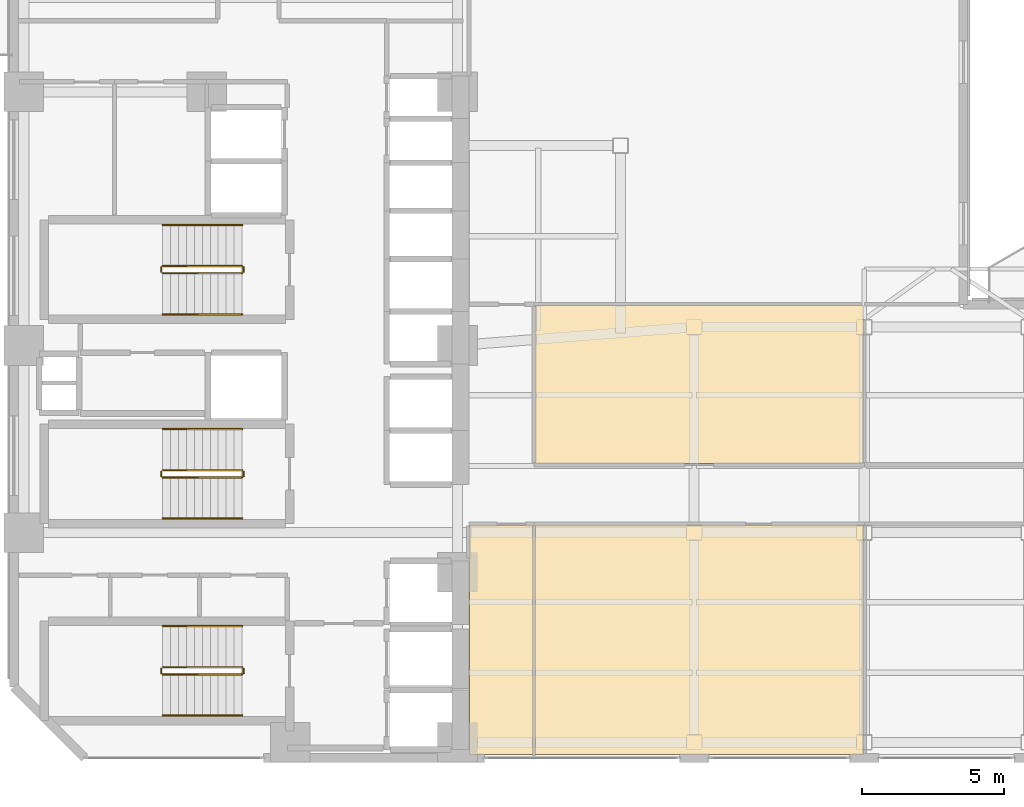
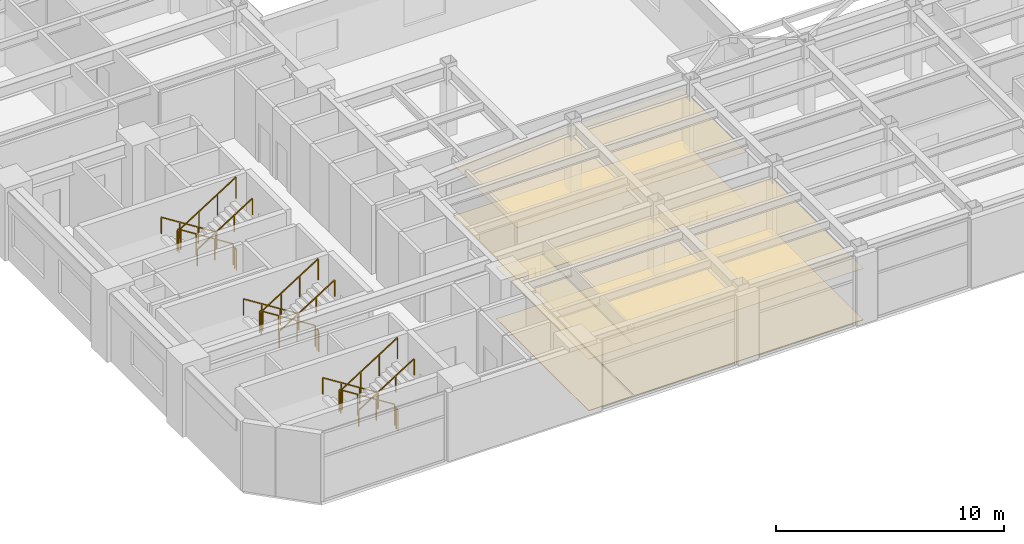
# One storey, part 14 of 16: 18 railings, 6 coverings.
"""IFC4 building model written with IfcOpenShell, lengths in metres."""

import ifcopenshell
import ifcopenshell.guid

model = None  # the IFC model being written
_history = None  # IfcOwnerHistory: only IFC2X3 demands one
_inside = {}  # id of a spatial element -> (the spatial element, [elements in it])
_under = {}  # id of a project, library or spatial element -> (it, [spatial elements below it])
_declared = {}  # id of a project -> (the project, [libraries it declares])
_typed = {}  # id of a type object -> (the type object, [elements of that type])
_made_of = {}  # id of a material, layer set ... -> (it, [elements and type objects made of it])


def new_model(schema):
    """Start an empty IFC model of exactly this schema.

    Asked for "IFC4X3", IfcOpenShell would pick the latest addendum, in which some entities
    have other attributes; the version numbers below select the first issue.
    IFC2X3 requires an IfcOwnerHistory on every rooted entity: one is made here for all.
    """
    global model, _history
    if schema == "IFC4X3":
        model = ifcopenshell.file(schema_version=(4, 3, 0, 0))
    else:
        model = ifcopenshell.file(schema=schema)
    _inside.clear()
    _under.clear()
    _declared.clear()
    _typed.clear()
    _made_of.clear()
    _history = None
    if model.schema == "IFC2X3":
        org = make("IfcOrganization", Name="unknown")
        user = make(
            "IfcPersonAndOrganization",
            ThePerson=make("IfcPerson", FamilyName="unknown"),
            TheOrganization=org,
        )
        app = make(
            "IfcApplication",
            ApplicationDeveloper=org,
            Version="unknown",
            ApplicationFullName="unknown",
            ApplicationIdentifier="unknown",
        )
        _history = make(
            "IfcOwnerHistory",
            OwningUser=user,
            OwningApplication=app,
            ChangeAction="ADDED",
            CreationDate=0,
        )
    return model


def make(cls, **values):
    """One entity of the class cls with the attributes given. An attribute that is None is left unset."""
    return model.create_entity(
        cls, **{name: value for name, value in values.items() if value is not None}
    )


def rooted(cls, **values):
    """An entity with a GlobalId (a new one), such as an element, a storey or a relation."""
    return make(cls, GlobalId=ifcopenshell.guid.new(), OwnerHistory=_history, **values)


def si_unit(unit_type, name, prefix=None):
    """IfcSIUnit, for example si_unit("LENGTHUNIT", "METRE", prefix="MILLI")."""
    return make("IfcSIUnit", UnitType=unit_type, Prefix=prefix, Name=name)


def assignment(units):
    """IfcUnitAssignment: the units of a project."""
    return None if units is None else make("IfcUnitAssignment", Units=units)


def point(xyz):
    """IfcCartesianPoint."""
    return None if xyz is None else make("IfcCartesianPoint", Coordinates=xyz)


def direction(xyz):
    """IfcDirection."""
    return None if xyz is None else make("IfcDirection", DirectionRatios=xyz)


def frame(location, z_axis=None, x_axis=None):
    """IfcAxis2Placement3D, a coordinate frame: its origin and axes. An axis left out is left unset."""
    return make(
        "IfcAxis2Placement3D",
        Location=point(location),
        Axis=direction(z_axis),
        RefDirection=direction(x_axis),
    )


def frame_2d(location, x_axis=None):
    """IfcAxis2Placement2D, a coordinate frame in the plane: its origin and x axis."""
    return make(
        "IfcAxis2Placement2D", Location=point(location), RefDirection=direction(x_axis)
    )


def origin():
    """The frame at (0, 0, 0) with its axes left unset."""
    return frame((0.0, 0.0, 0.0))


def origin_2d():
    """The frame at (0, 0) in the plane with its x axis left unset."""
    return frame_2d((0.0, 0.0))


def place(relative_to, where):
    """IfcLocalPlacement: puts the frame where relative to a parent placement (None: the world)."""
    return make(
        "IfcLocalPlacement", PlacementRelTo=relative_to, RelativePlacement=where
    )


def context(
    kind, dimensions, precision=None, world=None, true_north=None, identifier=None
):
    """IfcGeometricRepresentationContext, for example the 3D "Model" context."""
    return make(
        "IfcGeometricRepresentationContext",
        ContextIdentifier=identifier,
        ContextType=kind,
        CoordinateSpaceDimension=dimensions,
        Precision=precision,
        WorldCoordinateSystem=world,
        TrueNorth=true_north,
    )


def subcontext(parent, identifier, kind, view, scale=None):
    """IfcGeometricRepresentationSubContext, for example "Body" below "Model"."""
    return make(
        "IfcGeometricRepresentationSubContext",
        ContextIdentifier=identifier,
        ContextType=kind,
        ParentContext=parent,
        TargetScale=scale,
        TargetView=view,
    )


def project(units=None, contexts=None):
    """IfcProject with its units and contexts."""
    return rooted(
        "IfcProject",
        Name="project",
        RepresentationContexts=contexts,
        UnitsInContext=assignment(units),
    )


def spatial(cls, under=None, at=None, **own):
    """A site, building, storey or space (cls), placed at a placement, below another one or the project."""
    s = rooted(cls, ObjectPlacement=at, **own)
    if under is not None:
        _under.setdefault(under.id(), (under, []))[1].append(s)
    return s


def polyline(points):
    """IfcPolyline through the points."""
    return make("IfcPolyline", Points=[point(p) for p in points])


def profile(cls, at=None, kind="AREA", **sizes):
    """A parametric profile (cls). Its sizes go by their IFC names, for example OverallWidth=200.0."""
    return make(cls, ProfileType=kind, Position=at, **sizes)


def rectangle(**sizes):
    """IfcRectangleProfileDef."""
    return profile("IfcRectangleProfileDef", **sizes)


def outline(outer, holes=None, kind="AREA"):
    """IfcArbitraryClosedProfileDef: a profile drawn as a closed curve; with holes, ...WithVoids."""
    if holes is None:
        return make("IfcArbitraryClosedProfileDef", ProfileType=kind, OuterCurve=outer)
    return make(
        "IfcArbitraryProfileDefWithVoids",
        ProfileType=kind,
        OuterCurve=outer,
        InnerCurves=holes,
    )


def extrude(swept, where, along, depth):
    """IfcExtrudedAreaSolid: the profile swept, set in the frame where, extruded along a direction by depth."""
    return make(
        "IfcExtrudedAreaSolid",
        SweptArea=swept,
        Position=where,
        ExtrudedDirection=direction(along),
        Depth=depth,
    )


def shape(context_of_items, identifier, shape_type, items):
    """IfcShapeRepresentation: the items that make up one representation, for example the "Body"."""
    return make(
        "IfcShapeRepresentation",
        ContextOfItems=context_of_items,
        RepresentationIdentifier=identifier,
        RepresentationType=shape_type,
        Items=items,
    )


def material(Name=None, Category=None):
    """IfcMaterial."""
    return make("IfcMaterial", Name=Name, Category=Category)


def layer(
    of_material, thickness, ventilated=None, Name=None, Category=None, Priority=None
):
    """IfcMaterialLayer: one layer of a wall or slab, of a material (None: an air gap)."""
    return make(
        "IfcMaterialLayer",
        Material=of_material,
        LayerThickness=thickness,
        IsVentilated=ventilated,
        Name=Name,
        Category=Category,
        Priority=Priority,
    )


def layer_set(layers, Name=None):
    """IfcMaterialLayerSet."""
    return make("IfcMaterialLayerSet", MaterialLayers=layers, LayerSetName=Name)


def made_of(thing, what):
    """Note that an element or type object is made of a material, layer set ...; save() writes the relation."""
    if what is not None:
        _made_of.setdefault(what.id(), (what, []))[1].append(thing)
    return thing


def type_object(cls, material=None, **own):
    """A type object (cls), such as IfcWallType, which elements share."""
    return made_of(rooted(cls, **own), material)


def element(
    cls,
    number,
    at=None,
    inside=None,
    cuts=None,
    type_object=None,
    material=None,
    context=None,
    identifier="Body",
    shape_type=None,
    held_by="IfcProductDefinitionShape",
    body=None,
    shapes=None,
    **own,
):
    """One element of the class cls, such as IfcWall. Its Tag is "e" and its number.

    at: its placement. inside: the storey or other place that contains it. cuts: it is an
    opening in that element (IfcRelVoidsElement). A single representation is given by context,
    identifier, shape_type and body (its items); several are given by shapes. held_by: the class
    of the entity that holds the representations. save() writes the other relations.
    """
    e = rooted(cls, Tag="e%d" % number, ObjectPlacement=at, **own)
    if body is not None:
        shapes = [shape(context, identifier, shape_type, body)]
    if shapes is not None:
        e.Representation = make(held_by, Representations=shapes)
    if inside is not None:
        _inside.setdefault(inside.id(), (inside, []))[1].append(e)
    if cuts is not None:
        rooted(
            "IfcRelVoidsElement", RelatingBuildingElement=cuts, RelatedOpeningElement=e
        )
    if type_object is not None:
        _typed.setdefault(type_object.id(), (type_object, []))[1].append(e)
    return made_of(e, material)


def aggregate(whole, parts):
    """IfcRelAggregates: a whole, such as a stair, and the parts it consists of."""
    return rooted("IfcRelAggregates", RelatingObject=whole, RelatedObjects=parts)


def save(model, path):
    """Write the relations noted so far, then the file.

    IfcRelAggregates (storeys below a building ...), IfcRelContainedInSpatialStructure (elements
    in a storey), IfcRelDefinesByType, IfcRelAssociatesMaterial and IfcRelDeclares: one each for
    every whole, place, type object, material and project.
    """
    for whole, parts in _under.values():
        aggregate(whole, parts)
    for where, things in _inside.values():
        rooted(
            "IfcRelContainedInSpatialStructure",
            RelatedElements=things,
            RelatingStructure=where,
        )
    for kind, things in _typed.values():
        rooted("IfcRelDefinesByType", RelatedObjects=things, RelatingType=kind)
    for what, things in _made_of.values():
        rooted("IfcRelAssociatesMaterial", RelatedObjects=things, RelatingMaterial=what)
    for by, libraries in _declared.values():
        rooted("IfcRelDeclares", RelatingContext=by, RelatedDefinitions=libraries)
    model.write(path)


model = new_model("IFC4")

# Units and contexts
model_context = context("Model", 3, precision=1e-05, world=origin(), true_north=direction((0.0, 1.0)))
body_context = subcontext(model_context, "Body", "Model", "MODEL_VIEW")
ifc_project = project(units=[si_unit("LENGTHUNIT", "METRE"), si_unit("AREAUNIT", "SQUARE_METRE"), si_unit("VOLUMEUNIT", "CUBIC_METRE"), si_unit("PLANEANGLEUNIT", "RADIAN"), si_unit("MASSUNIT", "GRAM", prefix="KILO")], contexts=[model_context])

# Site, building, storey
site_placement = place(None, origin())
site = spatial("IfcSite", under=ifc_project, at=site_placement, CompositionType="ELEMENT")
building_placement = place(site_placement, origin())
building = spatial("IfcBuilding", under=site, at=building_placement, Name="Mawjaban Terraces University", CompositionType="ELEMENT")
storey_placement = place(building_placement, frame((0.0, 0.0, 38.800048828125)))
storey = spatial("IfcBuildingStorey", under=building, at=storey_placement, Name="L08", CompositionType="ELEMENT", Elevation=38.800048828125)

# Coverings
ifc_material_1 = material(Name="Acoustic mineral fibre ceiling tile", Category="masonry")
ifc_layer_1 = layer(ifc_material_1, 0.02001953125)
ifc_layer_set_1 = layer_set([ifc_layer_1], Name="Acoustic mineral fibre ceiling tile")
covering_type_1 = type_object("IfcCoveringType", Name="AcousticMineralCeiling_20", PredefinedType="CEILING", material=ifc_layer_set_1)
covering_1_placement = place(storey_placement, frame((0.0, 0.0, 2.75)))
element("IfcCovering", 1, at=covering_1_placement, inside=storey, type_object=covering_type_1, Name="L08 Classroom 1 Acoustic Ceiling", PredefinedType="CEILING", context=body_context, shape_type="SweptSolid", body=[
    extrude(outline(polyline([(38.080078125, 0.114990234375), (40.320068359375, 0.114990234375), (40.320068359375, 8.219970703125), (38.080078125, 8.219970703125), (38.080078125, 0.114990234375)])), origin(), (0.0, 0.0, 1.0), 0.02001953125),
])
covering_2_placement = place(storey_placement, frame((0.0, 0.0, 2.75)))
element("IfcCovering", 2, at=covering_2_placement, inside=storey, type_object=covering_type_1, Name="L08 Seminar Room 2 Acoustic Ceiling", PredefinedType="CEILING", context=body_context, shape_type="SweptSolid", body=[
    extrude(outline(polyline([(40.3798828125, 0.114990234375), (51.969970703125, 0.114990234375), (51.969970703125, 8.219970703125), (40.3798828125, 8.219970703125), (40.3798828125, 0.114990234375)])), origin(), (0.0, 0.0, 1.0), 0.02001953125),
])
covering_3_placement = place(storey_placement, frame((0.0, 0.0, 2.75)))
element("IfcCovering", 3, at=covering_3_placement, inside=storey, type_object=covering_type_1, Name="L08 Classroom 3 Acoustic Ceiling", PredefinedType="CEILING", context=body_context, shape_type="SweptSolid", body=[
    extrude(outline(polyline([(51.969970703125, 10.3798828125), (51.969970703125, 15.969970703125), (40.3798828125, 15.969970703125), (40.3798828125, 10.3798828125), (51.969970703125, 10.3798828125)])), origin(), (0.0, 0.0, 1.0), 0.02001953125),
])

# Railings
ifc_material_2 = material(Name="Brushed stainless steel 316", Category="steel")
railing_type_1 = type_object("IfcRailingType", Name="StairWallHandrail_900", PredefinedType="HANDRAIL", material=ifc_material_2)
railing_1_placement = place(storey_placement, frame((30.050048828125, 4.64990234375, 0.17724609375)))
element("IfcRailing", 4, at=railing_1_placement, inside=storey, type_object=railing_type_1, Name="L08 ST-1 stair handrail 1", PredefinedType="HANDRAIL", context=body_context, shape_type="SweptSolid", body=[
    extrude(rectangle(XDim=0.048095703125, YDim=0.048095703125, at=origin_2d()), frame((0.0, 0.0, 0.8759765625), z_axis=(-0.844908973607, 0.0, 0.534910110503), x_axis=(0.0, -1.0, 0.0)), (0.0, 0.0, 1.0), 3.31396484375),
    extrude(rectangle(XDim=0.0419921875, YDim=0.0419921875, at=origin_2d()), origin(), (0.0, 0.0, 1.0), 0.851806640625),
    extrude(rectangle(XDim=0.0419921875, YDim=0.0419921875, at=origin_2d()), frame((-0.933349609375, 0.0, 0.5908203125)), (0.0, 0.0, 1.0), 0.851806640625),
    extrude(rectangle(XDim=0.0419921875, YDim=0.0419921875, at=origin_2d()), frame((-1.86669921875, 0.0, 1.181884765625)), (0.0, 0.0, 1.0), 0.851806640625),
    extrude(rectangle(XDim=0.0419921875, YDim=0.0419921875, at=origin_2d()), frame((-2.800048828125, 0.0, 1.772705078125)), (0.0, 0.0, 1.0), 0.851806640625),
])
railing_2_placement = place(storey_placement, frame((27.25, 1.5, 2.127197265625)))
element("IfcRailing", 5, at=railing_2_placement, inside=storey, type_object=railing_type_1, Name="L08 ST-1 stair handrail 2", PredefinedType="HANDRAIL", context=body_context, shape_type="SweptSolid", body=[
    extrude(rectangle(XDim=0.048095703125, YDim=0.048095703125, at=origin_2d()), frame((0.0, 0.0, 0.8759765625), z_axis=(0.844908973607, 0.0, 0.534910110503), x_axis=(0.0, 1.0, 0.0)), (0.0, 0.0, 1.0), 3.31396484375),
    extrude(rectangle(XDim=0.0419921875, YDim=0.0419921875, at=origin_2d()), origin(), (0.0, 0.0, 1.0), 0.851806640625),
    extrude(rectangle(XDim=0.0419921875, YDim=0.0419921875, at=origin_2d()), frame((0.933349609375, 0.0, 0.5908203125)), (0.0, 0.0, 1.0), 0.851806640625),
    extrude(rectangle(XDim=0.0419921875, YDim=0.0419921875, at=origin_2d()), frame((1.86669921875, 0.0, 1.181884765625)), (0.0, 0.0, 1.0), 0.851806640625),
    extrude(rectangle(XDim=0.0419921875, YDim=0.0419921875, at=origin_2d()), frame((2.800048828125, 0.0, 1.772705078125)), (0.0, 0.0, 1.0), 0.851806640625),
])
railing_3_placement = place(storey_placement, frame((30.050048828125, 18.800048828125, 0.17724609375)))
element("IfcRailing", 6, at=railing_3_placement, inside=storey, type_object=railing_type_1, Name="L08 ST-2 stair handrail 1", PredefinedType="HANDRAIL", context=body_context, shape_type="SweptSolid", body=[
    extrude(rectangle(XDim=0.048095703125, YDim=0.048095703125, at=origin_2d()), frame((0.0, 0.0, 0.8759765625), z_axis=(-0.844908973607, 0.0, 0.534910110503), x_axis=(0.0, -1.0, 0.0)), (0.0, 0.0, 1.0), 3.31396484375),
    extrude(rectangle(XDim=0.0419921875, YDim=0.0419921875, at=origin_2d()), origin(), (0.0, 0.0, 1.0), 0.851806640625),
    extrude(rectangle(XDim=0.0419921875, YDim=0.0419921875, at=origin_2d()), frame((-0.933349609375, 0.0, 0.5908203125)), (0.0, 0.0, 1.0), 0.851806640625),
    extrude(rectangle(XDim=0.0419921875, YDim=0.0419921875, at=origin_2d()), frame((-1.86669921875, 0.0, 1.181884765625)), (0.0, 0.0, 1.0), 0.851806640625),
    extrude(rectangle(XDim=0.0419921875, YDim=0.0419921875, at=origin_2d()), frame((-2.800048828125, 0.0, 1.772705078125)), (0.0, 0.0, 1.0), 0.851806640625),
])
railing_4_placement = place(storey_placement, frame((27.25, 15.64990234375, 2.127197265625)))
element("IfcRailing", 7, at=railing_4_placement, inside=storey, type_object=railing_type_1, Name="L08 ST-2 stair handrail 2", PredefinedType="HANDRAIL", context=body_context, shape_type="SweptSolid", body=[
    extrude(rectangle(XDim=0.048095703125, YDim=0.048095703125, at=origin_2d()), frame((0.0, 0.0, 0.8759765625), z_axis=(0.844908973607, 0.0, 0.534910110503), x_axis=(0.0, 1.0, 0.0)), (0.0, 0.0, 1.0), 3.31396484375),
    extrude(rectangle(XDim=0.0419921875, YDim=0.0419921875, at=origin_2d()), origin(), (0.0, 0.0, 1.0), 0.851806640625),
    extrude(rectangle(XDim=0.0419921875, YDim=0.0419921875, at=origin_2d()), frame((0.933349609375, 0.0, 0.5908203125)), (0.0, 0.0, 1.0), 0.851806640625),
    extrude(rectangle(XDim=0.0419921875, YDim=0.0419921875, at=origin_2d()), frame((1.86669921875, 0.0, 1.181884765625)), (0.0, 0.0, 1.0), 0.851806640625),
    extrude(rectangle(XDim=0.0419921875, YDim=0.0419921875, at=origin_2d()), frame((2.800048828125, 0.0, 1.772705078125)), (0.0, 0.0, 1.0), 0.851806640625),
])
railing_5_placement = place(storey_placement, frame((30.050048828125, 11.60009765625, 0.17724609375)))
element("IfcRailing", 8, at=railing_5_placement, inside=storey, type_object=railing_type_1, Name="L08 ST-3 stair handrail 1", PredefinedType="HANDRAIL", context=body_context, shape_type="SweptSolid", body=[
    extrude(rectangle(XDim=0.048095703125, YDim=0.048095703125, at=origin_2d()), frame((0.0, 0.0, 0.8759765625), z_axis=(-0.844908973607, 0.0, 0.534910110503), x_axis=(0.0, -1.0, 0.0)), (0.0, 0.0, 1.0), 3.31396484375),
    extrude(rectangle(XDim=0.0419921875, YDim=0.0419921875, at=origin_2d()), origin(), (0.0, 0.0, 1.0), 0.851806640625),
    extrude(rectangle(XDim=0.0419921875, YDim=0.0419921875, at=origin_2d()), frame((-0.933349609375, 0.0, 0.5908203125)), (0.0, 0.0, 1.0), 0.851806640625),
    extrude(rectangle(XDim=0.0419921875, YDim=0.0419921875, at=origin_2d()), frame((-1.86669921875, 0.0, 1.181884765625)), (0.0, 0.0, 1.0), 0.851806640625),
    extrude(rectangle(XDim=0.0419921875, YDim=0.0419921875, at=origin_2d()), frame((-2.800048828125, 0.0, 1.772705078125)), (0.0, 0.0, 1.0), 0.851806640625),
])
railing_6_placement = place(storey_placement, frame((27.25, 8.449951171875, 2.127197265625)))
element("IfcRailing", 9, at=railing_6_placement, inside=storey, type_object=railing_type_1, Name="L08 ST-3 stair handrail 2", PredefinedType="HANDRAIL", context=body_context, shape_type="SweptSolid", body=[
    extrude(rectangle(XDim=0.048095703125, YDim=0.048095703125, at=origin_2d()), frame((0.0, 0.0, 0.8759765625), z_axis=(0.844908973607, 0.0, 0.534910110503), x_axis=(0.0, 1.0, 0.0)), (0.0, 0.0, 1.0), 3.31396484375),
    extrude(rectangle(XDim=0.0419921875, YDim=0.0419921875, at=origin_2d()), origin(), (0.0, 0.0, 1.0), 0.851806640625),
    extrude(rectangle(XDim=0.0419921875, YDim=0.0419921875, at=origin_2d()), frame((0.933349609375, 0.0, 0.5908203125)), (0.0, 0.0, 1.0), 0.851806640625),
    extrude(rectangle(XDim=0.0419921875, YDim=0.0419921875, at=origin_2d()), frame((1.86669921875, 0.0, 1.181884765625)), (0.0, 0.0, 1.0), 0.851806640625),
    extrude(rectangle(XDim=0.0419921875, YDim=0.0419921875, at=origin_2d()), frame((2.800048828125, 0.0, 1.772705078125)), (0.0, 0.0, 1.0), 0.851806640625),
])
ifc_material_3 = material(Name="Galvanised painted steel S355", Category="steel")
railing_type_2 = type_object("IfcRailingType", Name="StairWellGuard_1150", PredefinedType="BALUSTRADE", material=ifc_material_3)
railing_7_placement = place(storey_placement, frame((30.050048828125, 3.199951171875, 0.17724609375)))
element("IfcRailing", 10, at=railing_7_placement, inside=storey, type_object=railing_type_2, Name="L08 ST-1 stair guard 1", PredefinedType="BALUSTRADE", context=body_context, shape_type="SweptSolid", body=[
    extrude(rectangle(XDim=0.048095703125, YDim=0.048095703125, at=origin_2d()), frame((0.0, 0.0, 1.1259765625), z_axis=(-0.844908973607, 0.0, 0.534910110503), x_axis=(0.0, -1.0, 0.0)), (0.0, 0.0, 1.0), 3.31396484375),
    extrude(rectangle(XDim=0.0419921875, YDim=0.0419921875, at=origin_2d()), origin(), (0.0, 0.0, 1.0), 1.101806640625),
    extrude(rectangle(XDim=0.0419921875, YDim=0.0419921875, at=origin_2d()), frame((-0.933349609375, 0.0, 0.5908203125)), (0.0, 0.0, 1.0), 1.101806640625),
    extrude(rectangle(XDim=0.0419921875, YDim=0.0419921875, at=origin_2d()), frame((-1.86669921875, 0.0, 1.181884765625)), (0.0, 0.0, 1.0), 1.101806640625),
    extrude(rectangle(XDim=0.0419921875, YDim=0.0419921875, at=origin_2d()), frame((-2.800048828125, 0.0, 1.772705078125)), (0.0, 0.0, 1.0), 1.101806640625),
])
railing_8_placement = place(storey_placement, frame((27.199951171875, 3.14990234375, 1.949951171875)))
element("IfcRailing", 11, at=railing_8_placement, inside=storey, type_object=railing_type_2, Name="L08 ST-1 stair guard 2", PredefinedType="BALUSTRADE", context=body_context, shape_type="SweptSolid", body=[
    extrude(rectangle(XDim=0.048095703125, YDim=0.048095703125, at=origin_2d()), frame((0.0, 0.0, 1.1259765625), z_axis=(0.0, -1.0, 0.0), x_axis=(1.0, 0.0, 0.0)), (0.0, 0.0, 1.0), 0.14990234375),
    extrude(rectangle(XDim=0.0419921875, YDim=0.0419921875, at=origin_2d()), origin(), (0.0, 0.0, 1.0), 1.101806640625),
    extrude(rectangle(XDim=0.0419921875, YDim=0.0419921875, at=origin_2d()), frame((0.0, -0.14990234375, 0.0)), (0.0, 0.0, 1.0), 1.101806640625),
])
railing_9_placement = place(storey_placement, frame((27.25, 2.949951171875, 2.127197265625)))
element("IfcRailing", 12, at=railing_9_placement, inside=storey, type_object=railing_type_2, Name="L08 ST-1 stair guard 3", PredefinedType="BALUSTRADE", context=body_context, shape_type="SweptSolid", body=[
    extrude(rectangle(XDim=0.048095703125, YDim=0.048095703125, at=origin_2d()), frame((0.0, 0.0, 1.1259765625), z_axis=(0.844908973607, 0.0, 0.534910110503), x_axis=(0.0, 1.0, 0.0)), (0.0, 0.0, 1.0), 3.31396484375),
    extrude(rectangle(XDim=0.0419921875, YDim=0.0419921875, at=origin_2d()), origin(), (0.0, 0.0, 1.0), 1.101806640625),
    extrude(rectangle(XDim=0.0419921875, YDim=0.0419921875, at=origin_2d()), frame((0.933349609375, 0.0, 0.5908203125)), (0.0, 0.0, 1.0), 1.101806640625),
    extrude(rectangle(XDim=0.0419921875, YDim=0.0419921875, at=origin_2d()), frame((1.86669921875, 0.0, 1.181884765625)), (0.0, 0.0, 1.0), 1.101806640625),
    extrude(rectangle(XDim=0.0419921875, YDim=0.0419921875, at=origin_2d()), frame((2.800048828125, 0.0, 1.772705078125)), (0.0, 0.0, 1.0), 1.101806640625),
])
railing_10_placement = place(storey_placement, frame((30.10009765625, 3.14990234375, 0.0)))
element("IfcRailing", 13, at=railing_10_placement, inside=storey, type_object=railing_type_2, Name="L08 ST-1 stair guard 4", PredefinedType="BALUSTRADE", context=body_context, shape_type="SweptSolid", body=[
    extrude(rectangle(XDim=0.048095703125, YDim=0.048095703125, at=origin_2d()), frame((0.0, 0.0, 1.1259765625), z_axis=(0.0, -1.0, 0.0), x_axis=(1.0, 0.0, 0.0)), (0.0, 0.0, 1.0), 0.14990234375),
    extrude(rectangle(XDim=0.0419921875, YDim=0.0419921875, at=origin_2d()), origin(), (0.0, 0.0, 1.0), 1.101806640625),
    extrude(rectangle(XDim=0.0419921875, YDim=0.0419921875, at=origin_2d()), frame((0.0, -0.14990234375, 0.0)), (0.0, 0.0, 1.0), 1.101806640625),
])
railing_11_placement = place(storey_placement, frame((30.050048828125, 17.35009765625, 0.17724609375)))
element("IfcRailing", 14, at=railing_11_placement, inside=storey, type_object=railing_type_2, Name="L08 ST-2 stair guard 1", PredefinedType="BALUSTRADE", context=body_context, shape_type="SweptSolid", body=[
    extrude(rectangle(XDim=0.048095703125, YDim=0.048095703125, at=origin_2d()), frame((0.0, 0.0, 1.1259765625), z_axis=(-0.844908973607, 0.0, 0.534910110503), x_axis=(0.0, -1.0, 0.0)), (0.0, 0.0, 1.0), 3.31396484375),
    extrude(rectangle(XDim=0.0419921875, YDim=0.0419921875, at=origin_2d()), origin(), (0.0, 0.0, 1.0), 1.101806640625),
    extrude(rectangle(XDim=0.0419921875, YDim=0.0419921875, at=origin_2d()), frame((-0.933349609375, 0.0, 0.5908203125)), (0.0, 0.0, 1.0), 1.101806640625),
    extrude(rectangle(XDim=0.0419921875, YDim=0.0419921875, at=origin_2d()), frame((-1.86669921875, 0.0, 1.181884765625)), (0.0, 0.0, 1.0), 1.101806640625),
    extrude(rectangle(XDim=0.0419921875, YDim=0.0419921875, at=origin_2d()), frame((-2.800048828125, 0.0, 1.772705078125)), (0.0, 0.0, 1.0), 1.101806640625),
])
railing_12_placement = place(storey_placement, frame((27.199951171875, 17.300048828125, 1.949951171875)))
element("IfcRailing", 15, at=railing_12_placement, inside=storey, type_object=railing_type_2, Name="L08 ST-2 stair guard 2", PredefinedType="BALUSTRADE", context=body_context, shape_type="SweptSolid", body=[
    extrude(rectangle(XDim=0.048095703125, YDim=0.048095703125, at=origin_2d()), frame((0.0, 0.0, 1.1259765625), z_axis=(0.0, -1.0, 0.0), x_axis=(1.0, 0.0, 0.0)), (0.0, 0.0, 1.0), 0.150146484375),
    extrude(rectangle(XDim=0.0419921875, YDim=0.0419921875, at=origin_2d()), origin(), (0.0, 0.0, 1.0), 1.101806640625),
    extrude(rectangle(XDim=0.0419921875, YDim=0.0419921875, at=origin_2d()), frame((0.0, -0.150146484375, 0.0)), (0.0, 0.0, 1.0), 1.101806640625),
])
railing_13_placement = place(storey_placement, frame((27.25, 17.10009765625, 2.127197265625)))
element("IfcRailing", 16, at=railing_13_placement, inside=storey, type_object=railing_type_2, Name="L08 ST-2 stair guard 3", PredefinedType="BALUSTRADE", context=body_context, shape_type="SweptSolid", body=[
    extrude(rectangle(XDim=0.048095703125, YDim=0.048095703125, at=origin_2d()), frame((0.0, 0.0, 1.1259765625), z_axis=(0.844908973607, 0.0, 0.534910110503), x_axis=(0.0, 1.0, 0.0)), (0.0, 0.0, 1.0), 3.31396484375),
    extrude(rectangle(XDim=0.0419921875, YDim=0.0419921875, at=origin_2d()), origin(), (0.0, 0.0, 1.0), 1.101806640625),
    extrude(rectangle(XDim=0.0419921875, YDim=0.0419921875, at=origin_2d()), frame((0.933349609375, 0.0, 0.5908203125)), (0.0, 0.0, 1.0), 1.101806640625),
    extrude(rectangle(XDim=0.0419921875, YDim=0.0419921875, at=origin_2d()), frame((1.86669921875, 0.0, 1.181884765625)), (0.0, 0.0, 1.0), 1.101806640625),
    extrude(rectangle(XDim=0.0419921875, YDim=0.0419921875, at=origin_2d()), frame((2.800048828125, 0.0, 1.772705078125)), (0.0, 0.0, 1.0), 1.101806640625),
])
railing_14_placement = place(storey_placement, frame((30.10009765625, 17.300048828125, 0.0)))
element("IfcRailing", 17, at=railing_14_placement, inside=storey, type_object=railing_type_2, Name="L08 ST-2 stair guard 4", PredefinedType="BALUSTRADE", context=body_context, shape_type="SweptSolid", body=[
    extrude(rectangle(XDim=0.048095703125, YDim=0.048095703125, at=origin_2d()), frame((0.0, 0.0, 1.1259765625), z_axis=(0.0, -1.0, 0.0), x_axis=(1.0, 0.0, 0.0)), (0.0, 0.0, 1.0), 0.150146484375),
    extrude(rectangle(XDim=0.0419921875, YDim=0.0419921875, at=origin_2d()), origin(), (0.0, 0.0, 1.0), 1.101806640625),
    extrude(rectangle(XDim=0.0419921875, YDim=0.0419921875, at=origin_2d()), frame((0.0, -0.150146484375, 0.0)), (0.0, 0.0, 1.0), 1.101806640625),
])
railing_15_placement = place(storey_placement, frame((30.050048828125, 10.14990234375, 0.17724609375)))
element("IfcRailing", 18, at=railing_15_placement, inside=storey, type_object=railing_type_2, Name="L08 ST-3 stair guard 1", PredefinedType="BALUSTRADE", context=body_context, shape_type="SweptSolid", body=[
    extrude(rectangle(XDim=0.048095703125, YDim=0.048095703125, at=origin_2d()), frame((0.0, 0.0, 1.1259765625), z_axis=(-0.844908973607, 0.0, 0.534910110503), x_axis=(0.0, -1.0, 0.0)), (0.0, 0.0, 1.0), 3.31396484375),
    extrude(rectangle(XDim=0.0419921875, YDim=0.0419921875, at=origin_2d()), origin(), (0.0, 0.0, 1.0), 1.101806640625),
    extrude(rectangle(XDim=0.0419921875, YDim=0.0419921875, at=origin_2d()), frame((-0.933349609375, 0.0, 0.5908203125)), (0.0, 0.0, 1.0), 1.101806640625),
    extrude(rectangle(XDim=0.0419921875, YDim=0.0419921875, at=origin_2d()), frame((-1.86669921875, 0.0, 1.181884765625)), (0.0, 0.0, 1.0), 1.101806640625),
    extrude(rectangle(XDim=0.0419921875, YDim=0.0419921875, at=origin_2d()), frame((-2.800048828125, 0.0, 1.772705078125)), (0.0, 0.0, 1.0), 1.101806640625),
])
railing_16_placement = place(storey_placement, frame((27.199951171875, 10.10009765625, 1.949951171875)))
element("IfcRailing", 19, at=railing_16_placement, inside=storey, type_object=railing_type_2, Name="L08 ST-3 stair guard 2", PredefinedType="BALUSTRADE", context=body_context, shape_type="SweptSolid", body=[
    extrude(rectangle(XDim=0.048095703125, YDim=0.048095703125, at=origin_2d()), frame((0.0, 0.0, 1.1259765625), z_axis=(0.0, -1.0, 0.0), x_axis=(1.0, 0.0, 0.0)), (0.0, 0.0, 1.0), 0.150146484375),
    extrude(rectangle(XDim=0.0419921875, YDim=0.0419921875, at=origin_2d()), origin(), (0.0, 0.0, 1.0), 1.101806640625),
    extrude(rectangle(XDim=0.0419921875, YDim=0.0419921875, at=origin_2d()), frame((0.0, -0.150146484375, 0.0)), (0.0, 0.0, 1.0), 1.101806640625),
])
railing_17_placement = place(storey_placement, frame((27.25, 9.89990234375, 2.127197265625)))
element("IfcRailing", 20, at=railing_17_placement, inside=storey, type_object=railing_type_2, Name="L08 ST-3 stair guard 3", PredefinedType="BALUSTRADE", context=body_context, shape_type="SweptSolid", body=[
    extrude(rectangle(XDim=0.048095703125, YDim=0.048095703125, at=origin_2d()), frame((0.0, 0.0, 1.1259765625), z_axis=(0.844908973607, 0.0, 0.534910110503), x_axis=(0.0, 1.0, 0.0)), (0.0, 0.0, 1.0), 3.31396484375),
    extrude(rectangle(XDim=0.0419921875, YDim=0.0419921875, at=origin_2d()), origin(), (0.0, 0.0, 1.0), 1.101806640625),
    extrude(rectangle(XDim=0.0419921875, YDim=0.0419921875, at=origin_2d()), frame((0.933349609375, 0.0, 0.5908203125)), (0.0, 0.0, 1.0), 1.101806640625),
    extrude(rectangle(XDim=0.0419921875, YDim=0.0419921875, at=origin_2d()), frame((1.86669921875, 0.0, 1.181884765625)), (0.0, 0.0, 1.0), 1.101806640625),
    extrude(rectangle(XDim=0.0419921875, YDim=0.0419921875, at=origin_2d()), frame((2.800048828125, 0.0, 1.772705078125)), (0.0, 0.0, 1.0), 1.101806640625),
])
railing_18_placement = place(storey_placement, frame((30.10009765625, 10.10009765625, 0.0)))
element("IfcRailing", 21, at=railing_18_placement, inside=storey, type_object=railing_type_2, Name="L08 ST-3 stair guard 4", PredefinedType="BALUSTRADE", context=body_context, shape_type="SweptSolid", body=[
    extrude(rectangle(XDim=0.048095703125, YDim=0.048095703125, at=origin_2d()), frame((0.0, 0.0, 1.1259765625), z_axis=(0.0, -1.0, 0.0), x_axis=(1.0, 0.0, 0.0)), (0.0, 0.0, 1.0), 0.150146484375),
    extrude(rectangle(XDim=0.0419921875, YDim=0.0419921875, at=origin_2d()), origin(), (0.0, 0.0, 1.0), 1.101806640625),
    extrude(rectangle(XDim=0.0419921875, YDim=0.0419921875, at=origin_2d()), frame((0.0, -0.150146484375, 0.0)), (0.0, 0.0, 1.0), 1.101806640625),
])

# Coverings
ifc_material_4 = material(Name="Polished Hijazi granite terrazzo flooring", Category="masonry")
ifc_layer_2 = layer(ifc_material_4, 0.02490234375)
ifc_layer_set_2 = layer_set([ifc_layer_2], Name="Polished Hijazi granite terrazzo flooring")
covering_type_2 = type_object("IfcCoveringType", Name="TerrazzoConcourseFlooring_25", PredefinedType="FLOORING", material=ifc_layer_set_2)
covering_4_placement = place(storey_placement, origin())
element("IfcCovering", 22, at=covering_4_placement, inside=storey, type_object=covering_type_2, Name="L08 Classroom 1 Terrazzo Flooring", PredefinedType="FLOORING", context=body_context, shape_type="SweptSolid", body=[
    extrude(outline(polyline([(38.080078125, 0.114990234375), (40.320068359375, 0.114990234375), (40.320068359375, 8.219970703125), (38.080078125, 8.219970703125), (38.080078125, 0.114990234375)])), origin(), (0.0, 0.0, 1.0), 0.02490234375),
])
covering_5_placement = place(storey_placement, origin())
element("IfcCovering", 23, at=covering_5_placement, inside=storey, type_object=covering_type_2, Name="L08 Seminar Room 2 Terrazzo Flooring", PredefinedType="FLOORING", context=body_context, shape_type="SweptSolid", body=[
    extrude(outline(polyline([(40.3798828125, 0.114990234375), (51.969970703125, 0.114990234375), (51.969970703125, 8.219970703125), (40.3798828125, 8.219970703125), (40.3798828125, 0.114990234375)])), origin(), (0.0, 0.0, 1.0), 0.02490234375),
])
covering_6_placement = place(storey_placement, origin())
element("IfcCovering", 24, at=covering_6_placement, inside=storey, type_object=covering_type_2, Name="L08 Classroom 3 Terrazzo Flooring", PredefinedType="FLOORING", context=body_context, shape_type="SweptSolid", body=[
    extrude(outline(polyline([(51.969970703125, 10.3798828125), (51.969970703125, 15.969970703125), (40.3798828125, 15.969970703125), (40.3798828125, 10.3798828125), (51.969970703125, 10.3798828125)])), origin(), (0.0, 0.0, 1.0), 0.02490234375),
])

save(model, "model.ifc")
